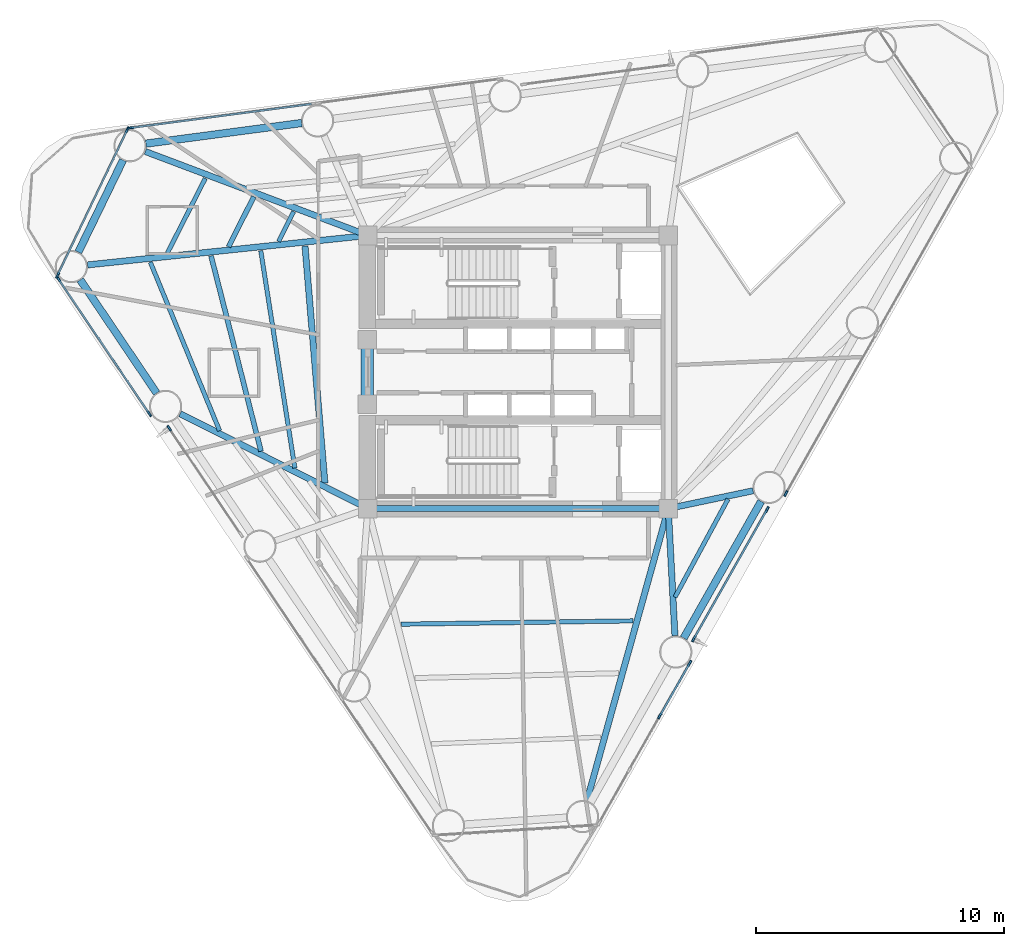
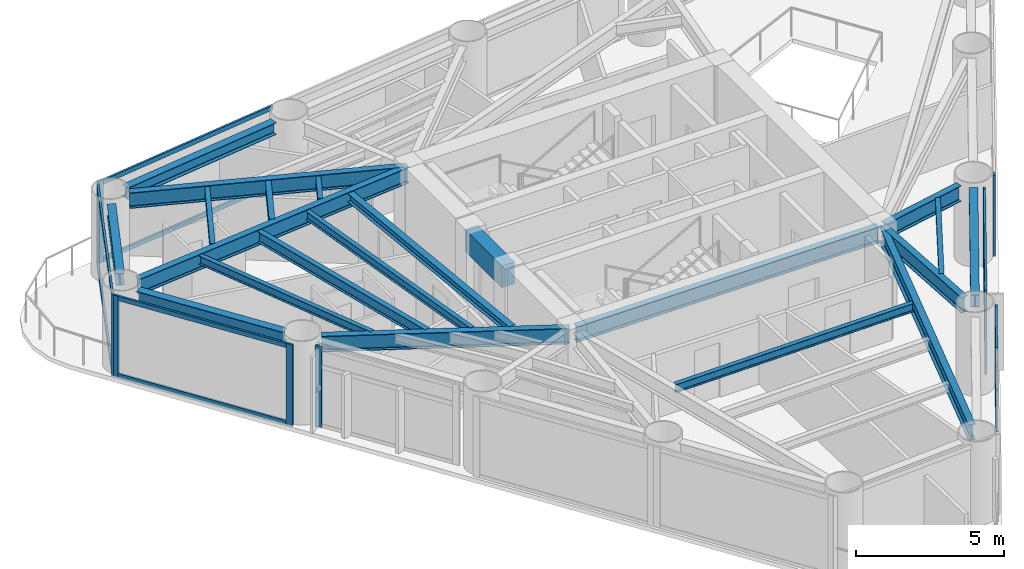
# One storey, part 2 of 9: 23 members, 21 beams, 7 elements without a shape of their own.
"""IFC4 building model written with IfcOpenShell, lengths in metres."""

from ifc_helpers import new_model, si_unit, direction, frame, origin, origin_2d, place, context, subcontext, project, spatial, rectangle, i_section, extrude, source, transform, mapped, material, layer, layer_set, material_profile, profile_set, type_object, element, aggregate, save


model = new_model("IFC4")

# Units and contexts
model_context = context("Model", 3, precision=1e-05, world=origin(), true_north=direction((0.0, 1.0)))
body_context = subcontext(model_context, "Body", "Model", "MODEL_VIEW")
ifc_project = project(units=[si_unit("LENGTHUNIT", "METRE"), si_unit("AREAUNIT", "SQUARE_METRE"), si_unit("VOLUMEUNIT", "CUBIC_METRE"), si_unit("PLANEANGLEUNIT", "RADIAN"), si_unit("MASSUNIT", "GRAM", prefix="KILO")], contexts=[model_context])

# Site, building, storey
site_placement = place(None, origin())
site = spatial("IfcSite", under=ifc_project, at=site_placement, CompositionType="ELEMENT")
building_placement = place(site_placement, origin())
building = spatial("IfcBuilding", under=site, at=building_placement, Name="Yunling Apex Tower", CompositionType="ELEMENT")
storey_placement = place(building_placement, frame((0.0, 0.0, 165.64990234375)))
storey = spatial("IfcBuildingStorey", under=building, at=storey_placement, Name="L40", CompositionType="ELEMENT", Elevation=165.64990234375)

# Beams
ifc_material_1 = material(Name="Concrete C50", Category="concrete")
ifc_material_profile_1 = material_profile(ifc_material_1, rectangle(XDim=0.5, YDim=0.89990234375, at=origin_2d()))
ifc_profile_set_1 = profile_set([ifc_material_profile_1], Name="Concrete C50")
beam_type_1 = type_object("IfcBeamType", Name="BC-CPL-2", PredefinedType="BEAM", material=ifc_profile_set_1)
shared_shape_1 = source(origin(), body_context, "Body", "SweptSolid", [
    extrude(rectangle(XDim=0.5, YDim=0.89990234375, at=origin_2d()), origin(), (0.0, 0.0, 1.0), 2.5),
])
beam_1_placement = place(storey_placement, frame((-6.074951171875, -1.25, 2.820068359375), z_axis=(0.0, 1.0, 0.0), x_axis=(-1.0, 0.0, 0.0)))
element("IfcBeam", 1, at=beam_1_placement, inside=storey, type_object=beam_type_1, Name="L40 Core West Portal Coupling Beam", PredefinedType="BEAM", context=body_context, shape_type="MappedRepresentation", body=[
    mapped(shared_shape_1, transform((0.0, 0.0, 0.0), scale=1.0)),
])
ifc_material_2 = material(Name="Steel Q355B", Category="steel")
ifc_material_profile_2 = material_profile(ifc_material_2, i_section(OverallWidth=0.25, OverallDepth=0.64990234375, WebThickness=0.011962890625, FlangeThickness=0.02001953125, FilletRadius=0.02392578125, at=origin_2d()))
ifc_profile_set_2 = profile_set([ifc_material_profile_2], Name="Steel Q355B")
beam_type_2 = type_object("IfcBeamType", Name="BG-PRI-4", PredefinedType="USERDEFINED", material=ifc_profile_set_2)
shared_shape_2 = source(origin(), body_context, "Body", "SweptSolid", [
    extrude(i_section(OverallWidth=0.25, OverallDepth=0.64990234375, WebThickness=0.011962890625, FlangeThickness=0.02001953125, FilletRadius=0.02392578125, at=origin_2d()), origin(), (0.0, 0.0, 1.0), 11.7998046875),
])
beam_2_placement = place(storey_placement, frame((-5.89990234375, -5.5, 2.945068359375), z_axis=(1.0, 0.0, 0.0), x_axis=(0.0, 1.0, 0.0)))
element("IfcBeam", 2, at=beam_2_placement, inside=storey, type_object=beam_type_2, Name="L40 Core Ring Tie Beam 1", ObjectType="GIRDER", PredefinedType="USERDEFINED", context=body_context, shape_type="MappedRepresentation", body=[
    mapped(shared_shape_2, transform((0.0, 0.0, 0.0), scale=1.0)),
])
ifc_material_profile_3 = material_profile(ifc_material_2, i_section(OverallWidth=0.300048828125, OverallDepth=0.489990234375, WebThickness=0.010986328125, FlangeThickness=0.01806640625, FilletRadius=0.02197265625, at=origin_2d()))
ifc_profile_set_3 = profile_set([ifc_material_profile_3], Name="Steel Q355B")
beam_type_3 = type_object("IfcBeamType", Name="BP-SPN-2", PredefinedType="SPANDREL", material=ifc_profile_set_3)
shared_shape_3 = source(origin(), body_context, "Body", "SweptSolid", [
    extrude(i_section(OverallWidth=0.300048828125, OverallDepth=0.489990234375, WebThickness=0.010986328125, FlangeThickness=0.01806640625, FilletRadius=0.02197265625, at=origin_2d()), origin(), (0.0, 0.0, 1.0), 6.33251953125),
])
for number, where, z_axis, x_axis, name in (
    (3, (6.66943359375, -10.717529296875, 3.025146484375), (0.493030081742, 0.870012263418, 0.0), (-0.870012263418, 0.493030081742, 0.0), "L40 Perimeter Spandrel Beam 2"),
    (4, (-8.715576171875, 10.02978515625, 3.025146484375), (-0.991351373324, -0.131234349957, 0.0), (0.131234349957, -0.991351373324, 0.0), "L40 Perimeter Spandrel Beam 9"),
):
    element("IfcBeam", number, at=place(storey_placement, frame(where, z_axis=z_axis, x_axis=x_axis)), inside=storey, type_object=beam_type_3, Name=name, PredefinedType="SPANDREL", context=body_context, shape_type="MappedRepresentation", body=[
        mapped(shared_shape_3, transform((0.0, 0.0, 0.0), scale=1.0)),
    ])
shared_shape_4 = source(origin(), body_context, "Body", "SweptSolid", [
    extrude(i_section(OverallWidth=0.300048828125, OverallDepth=0.489990234375, WebThickness=0.010986328125, FlangeThickness=0.01806640625, FilletRadius=0.02197265625, at=origin_2d()), origin(), (0.0, 0.0, 1.0), 4.1240234375),
])
beam_3_placement = place(storey_placement, frame((-15.9130859375, 8.534912109375, 3.025146484375), z_axis=(-0.436645295051, -0.899633751206, 0.0), x_axis=(0.899633751206, -0.436645295051, 0.0)))
element("IfcBeam", 5, at=beam_3_placement, inside=storey, type_object=beam_type_3, Name="L40 Perimeter Spandrel Beam 10", PredefinedType="SPANDREL", context=body_context, shape_type="MappedRepresentation", body=[
    mapped(shared_shape_4, transform((0.0, 0.0, 0.0), scale=1.0)),
])
shared_shape_5 = source(origin(), body_context, "Body", "SweptSolid", [
    extrude(i_section(OverallWidth=0.300048828125, OverallDepth=0.489990234375, WebThickness=0.010986328125, FlangeThickness=0.01806640625, FilletRadius=0.02197265625, at=origin_2d()), origin(), (0.0, 0.0, 1.0), 5.5029296875),
])
beam_4_placement = place(storey_placement, frame((-17.635009765625, 3.711181640625, 3.025146484375), z_axis=(0.559227477119, -0.829014251286, 0.0), x_axis=(0.829014251286, 0.559227477119, 0.0)))
element("IfcBeam", 6, at=beam_4_placement, inside=storey, type_object=beam_type_3, Name="L40 Perimeter Spandrel Beam 11", PredefinedType="SPANDREL", context=body_context, shape_type="MappedRepresentation", body=[
    mapped(shared_shape_5, transform((0.0, 0.0, 0.0), scale=1.0)),
])
shared_shape_6 = source(origin(), body_context, "Body", "SweptSolid", [
    extrude(i_section(OverallWidth=0.25, OverallDepth=0.64990234375, WebThickness=0.011962890625, FlangeThickness=0.02001953125, FilletRadius=0.02392578125, at=origin_2d()), origin(), (0.0, 0.0, 1.0), 12.141845703125),
])
beam_5_placement = place(storey_placement, frame((2.771240234375, -17.27392578125, 2.945068359375), z_axis=(0.268272262363, 0.9633431337, 0.0), x_axis=(-0.9633431337, 0.268272262363, 0.0)))
element("IfcBeam", 7, at=beam_5_placement, inside=storey, type_object=beam_type_2, Name="L40 Radial Primary Girder R01", ObjectType="GIRDER", PredefinedType="USERDEFINED", context=body_context, shape_type="MappedRepresentation", body=[
    mapped(shared_shape_6, transform((0.0, 0.0, 0.0), scale=1.0)),
])
shared_shape_7 = source(origin(), body_context, "Body", "SweptSolid", [
    extrude(i_section(OverallWidth=0.25, OverallDepth=0.64990234375, WebThickness=0.011962890625, FlangeThickness=0.02001953125, FilletRadius=0.02392578125, at=origin_2d()), origin(), (0.0, 0.0, 1.0), 5.0478515625),
])
beam_6_placement = place(storey_placement, frame((6.317626953125, -10.620849609375, 2.945068359375), z_axis=(-0.052185671931, 0.998637399482, 0.0), x_axis=(-0.998637399482, -0.052185671931, 0.0)))
element("IfcBeam", 8, at=beam_6_placement, inside=storey, type_object=beam_type_2, Name="L40 Radial Primary Girder R02", ObjectType="GIRDER", PredefinedType="USERDEFINED", context=body_context, shape_type="MappedRepresentation", body=[
    mapped(shared_shape_7, transform((0.0, 0.0, 0.0), scale=1.0)),
])
shared_shape_8 = source(origin(), body_context, "Body", "SweptSolid", [
    extrude(i_section(OverallWidth=0.25, OverallDepth=0.64990234375, WebThickness=0.011962890625, FlangeThickness=0.02001953125, FilletRadius=0.02392578125, at=origin_2d()), origin(), (0.0, 0.0, 1.0), 3.409423828125),
])
beam_7_placement = place(storey_placement, frame((9.465087890625, -4.783203125, 2.945068359375), z_axis=(-0.978668904593, -0.205443849219, 0.0), x_axis=(0.205443849219, -0.978668904593, 0.0)))
element("IfcBeam", 9, at=beam_7_placement, inside=storey, type_object=beam_type_2, Name="L40 Radial Primary Girder R03", ObjectType="GIRDER", PredefinedType="USERDEFINED", context=body_context, shape_type="MappedRepresentation", body=[
    mapped(shared_shape_8, transform((0.0, 0.0, 0.0), scale=1.0)),
])
shared_shape_9 = source(origin(), body_context, "Body", "SweptSolid", [
    extrude(i_section(OverallWidth=0.25, OverallDepth=0.64990234375, WebThickness=0.011962890625, FlangeThickness=0.02001953125, FilletRadius=0.02392578125, at=origin_2d()), origin(), (0.0, 0.0, 1.0), 9.502685546875),
])
beam_8_placement = place(storey_placement, frame((-15.01611328125, 8.882080078125, 2.945068359375), z_axis=(0.935649587533, -0.352930374648, 0.0), x_axis=(0.352930374648, 0.935649587533, 0.0)))
element("IfcBeam", 10, at=beam_8_placement, inside=storey, type_object=beam_type_2, Name="L40 Radial Primary Girder R10", ObjectType="GIRDER", PredefinedType="USERDEFINED", context=body_context, shape_type="MappedRepresentation", body=[
    mapped(shared_shape_9, transform((0.0, 0.0, 0.0), scale=1.0)),
])
shared_shape_10 = source(origin(), body_context, "Body", "SweptSolid", [
    extrude(i_section(OverallWidth=0.25, OverallDepth=0.64990234375, WebThickness=0.011962890625, FlangeThickness=0.02001953125, FilletRadius=0.02392578125, at=origin_2d()), origin(), (0.0, 0.0, 1.0), 11.272705078125),
])
beam_9_placement = place(storey_placement, frame((-17.340576171875, 4.31396484375, 2.945068359375), z_axis=(0.99452726712, 0.104477341825, 0.0), x_axis=(-0.104477341825, 0.99452726712, 0.0)))
element("IfcBeam", 11, at=beam_9_placement, inside=storey, type_object=beam_type_2, Name="L40 Radial Primary Girder R11", ObjectType="GIRDER", PredefinedType="USERDEFINED", context=body_context, shape_type="MappedRepresentation", body=[
    mapped(shared_shape_10, transform((0.0, 0.0, 0.0), scale=1.0)),
])
shared_shape_11 = source(origin(), body_context, "Body", "SweptSolid", [
    extrude(i_section(OverallWidth=0.25, OverallDepth=0.64990234375, WebThickness=0.011962890625, FlangeThickness=0.02001953125, FilletRadius=0.02392578125, at=origin_2d()), origin(), (0.0, 0.0, 1.0), 8.389892578125),
])
beam_10_placement = place(storey_placement, frame((-13.610107421875, -1.681396484375, 2.945068359375), z_axis=(0.892603997322, -0.450841550841, 0.0), x_axis=(0.450841550841, 0.892603997322, 0.0)))
element("IfcBeam", 12, at=beam_10_placement, inside=storey, type_object=beam_type_2, Name="L40 Radial Primary Girder R12", ObjectType="GIRDER", PredefinedType="USERDEFINED", context=body_context, shape_type="MappedRepresentation", body=[
    mapped(shared_shape_11, transform((0.0, 0.0, 0.0), scale=1.0)),
])
ifc_material_profile_4 = material_profile(ifc_material_2, i_section(OverallWidth=0.175048828125, OverallDepth=0.35009765625, WebThickness=0.007080078125, FlangeThickness=0.010986328125, FilletRadius=0.013916015625, at=origin_2d()))
ifc_profile_set_4 = profile_set([ifc_material_profile_4], Name="Steel Q355B")
beam_type_4 = type_object("IfcBeamType", Name="BJ-JST-1", PredefinedType="JOIST", material=ifc_profile_set_4)
shared_shape_12 = source(origin(), body_context, "Body", "SweptSolid", [
    extrude(i_section(OverallWidth=0.175048828125, OverallDepth=0.35009765625, WebThickness=0.007080078125, FlangeThickness=0.010986328125, FilletRadius=0.013916015625, at=origin_2d()), origin(), (0.0, 0.0, 1.0), 4.488525390625),
])
beam_11_placement = place(storey_placement, frame((6.31982421875, -9.068603515625, 3.09521484375), z_axis=(0.475594391265, 0.87966469464, 0.0), x_axis=(-0.87966469464, 0.475594391265, 0.0)))
element("IfcBeam", 13, at=beam_11_placement, inside=storey, type_object=beam_type_4, Name="L40 Composite Floor Joist BJ1-2", PredefinedType="JOIST", context=body_context, shape_type="MappedRepresentation", body=[
    mapped(shared_shape_12, transform((0.0, 0.0, 0.0), scale=1.0)),
])
ifc_material_profile_5 = material_profile(ifc_material_2, i_section(OverallWidth=0.199951171875, OverallDepth=0.449951171875, WebThickness=0.009033203125, FlangeThickness=0.013916015625, FilletRadius=0.01806640625, at=origin_2d()))
ifc_profile_set_5 = profile_set([ifc_material_profile_5], Name="Steel Q355B")
beam_type_5 = type_object("IfcBeamType", Name="BS-SEC-3", PredefinedType="BEAM", material=ifc_profile_set_5)
shared_shape_13 = source(origin(), body_context, "Body", "SweptSolid", [
    extrude(i_section(OverallWidth=0.199951171875, OverallDepth=0.449951171875, WebThickness=0.009033203125, FlangeThickness=0.013916015625, FilletRadius=0.01806640625, at=origin_2d()), origin(), (0.0, 0.0, 1.0), 2.260498046875),
])
beam_12_placement = place(storey_placement, frame((-10.642578125, 7.0625, 3.045166015625), z_axis=(-0.451356210078, -0.892343864003, 0.0), x_axis=(0.892343864003, -0.451356210078, 0.0)))
element("IfcBeam", 14, at=beam_12_placement, inside=storey, type_object=beam_type_5, Name="L40 Composite Floor Beam BS-10", PredefinedType="BEAM", context=body_context, shape_type="MappedRepresentation", body=[
    mapped(shared_shape_13, transform((0.0, 0.0, 0.0), scale=1.0)),
])
shared_shape_14 = source(origin(), body_context, "Body", "SweptSolid", [
    extrude(i_section(OverallWidth=0.175048828125, OverallDepth=0.35009765625, WebThickness=0.007080078125, FlangeThickness=0.010986328125, FilletRadius=0.013916015625, at=origin_2d()), origin(), (0.0, 0.0, 1.0), 3.380126953125),
])
beam_13_placement = place(storey_placement, frame((-12.59912109375, 7.80029296875, 3.09521484375), z_axis=(-0.452665854376, -0.891680225351, 0.0), x_axis=(0.891680225351, -0.452665854376, 0.0)))
element("IfcBeam", 15, at=beam_13_placement, inside=storey, type_object=beam_type_4, Name="L40 Composite Floor Joist BJ1-10", PredefinedType="JOIST", context=body_context, shape_type="MappedRepresentation", body=[
    mapped(shared_shape_14, transform((0.0, 0.0, 0.0), scale=1.0)),
])
shared_shape_15 = source(origin(), body_context, "Body", "SweptSolid", [
    extrude(i_section(OverallWidth=0.175048828125, OverallDepth=0.35009765625, WebThickness=0.007080078125, FlangeThickness=0.010986328125, FilletRadius=0.013916015625, at=origin_2d()), origin(), (0.0, 0.0, 1.0), 1.34375),
])
beam_14_placement = place(storey_placement, frame((-9.0419921875, 6.45849609375, 3.09521484375), z_axis=(-0.448956972961, -0.893553376374, 0.0), x_axis=(0.893553376374, -0.448956972961, 0.0)))
element("IfcBeam", 16, at=beam_14_placement, inside=storey, type_object=beam_type_4, Name="L40 Composite Floor Joist BJ3-10", PredefinedType="JOIST", context=body_context, shape_type="MappedRepresentation", body=[
    mapped(shared_shape_15, transform((0.0, 0.0, 0.0), scale=1.0)),
])
shared_shape_16 = source(origin(), body_context, "Body", "SweptSolid", [
    extrude(i_section(OverallWidth=0.199951171875, OverallDepth=0.449951171875, WebThickness=0.009033203125, FlangeThickness=0.013916015625, FilletRadius=0.01806640625, at=origin_2d()), origin(), (0.0, 0.0, 1.0), 8.121337890625),
])
beam_15_placement = place(storey_placement, frame((-12.3681640625, 4.677001953125, 3.045166015625), z_axis=(0.247914612688, -0.968781887122, 0.0), x_axis=(0.968781887122, 0.247914612688, 0.0)))
element("IfcBeam", 17, at=beam_15_placement, inside=storey, type_object=beam_type_5, Name="L40 Composite Floor Beam BS-11", PredefinedType="BEAM", context=body_context, shape_type="MappedRepresentation", body=[
    mapped(shared_shape_16, transform((0.0, 0.0, 0.0), scale=1.0)),
])
shared_shape_17 = source(origin(), body_context, "Body", "SweptSolid", [
    extrude(i_section(OverallWidth=0.175048828125, OverallDepth=0.35009765625, WebThickness=0.007080078125, FlangeThickness=0.010986328125, FilletRadius=0.013916015625, at=origin_2d()), origin(), (0.0, 0.0, 1.0), 7.34130859375),
])
beam_16_placement = place(storey_placement, frame((-14.8134765625, 4.425048828125, 3.09521484375), z_axis=(0.380043851262, -0.924968470337, 0.0), x_axis=(0.924968470337, 0.380043851262, 0.0)))
element("IfcBeam", 18, at=beam_16_placement, inside=storey, type_object=beam_type_4, Name="L40 Composite Floor Joist BJ1-11", PredefinedType="JOIST", context=body_context, shape_type="MappedRepresentation", body=[
    mapped(shared_shape_17, transform((0.0, 0.0, 0.0), scale=1.0)),
])
shared_shape_18 = source(origin(), body_context, "Body", "SweptSolid", [
    extrude(i_section(OverallWidth=0.175048828125, OverallDepth=0.35009765625, WebThickness=0.007080078125, FlangeThickness=0.010986328125, FilletRadius=0.013916015625, at=origin_2d()), origin(), (0.0, 0.0, 1.0), 8.861328125),
])
beam_17_placement = place(storey_placement, frame((-10.364990234375, 4.885986328125, 3.09521484375), z_axis=(0.154946679134, -0.987922834348, 0.0), x_axis=(0.987922834348, 0.154946679134, 0.0)))
element("IfcBeam", 19, at=beam_17_placement, inside=storey, type_object=beam_type_4, Name="L40 Composite Floor Joist BJ3-11", PredefinedType="JOIST", context=body_context, shape_type="MappedRepresentation", body=[
    mapped(shared_shape_18, transform((0.0, 0.0, 0.0), scale=1.0)),
])
ifc_material_profile_6 = material_profile(ifc_material_2, i_section(OverallWidth=0.25, OverallDepth=0.340087890625, WebThickness=0.009033203125, FlangeThickness=0.013916015625, FilletRadius=0.01806640625, at=origin_2d()))
ifc_profile_set_6 = profile_set([ifc_material_profile_6], Name="Steel Q355B")
beam_type_6 = type_object("IfcBeamType", Name="BJ-JST-2", PredefinedType="JOIST", material=ifc_profile_set_6)
shared_shape_19 = source(origin(), body_context, "Body", "SweptSolid", [
    extrude(i_section(OverallWidth=0.25, OverallDepth=0.340087890625, WebThickness=0.009033203125, FlangeThickness=0.013916015625, FilletRadius=0.01806640625, at=origin_2d()), origin(), (0.0, 0.0, 1.0), 9.578857421875),
])
beam_18_placement = place(storey_placement, frame((-8.582763671875, 5.072998046875, 3.10009765625), z_axis=(0.083572791263, -0.996501675142, 0.0), x_axis=(0.996501675142, 0.083572791263, 0.0)))
element("IfcBeam", 20, at=beam_18_placement, inside=storey, type_object=beam_type_6, Name="L40 Composite Floor Joist BJ2-11", PredefinedType="JOIST", context=body_context, shape_type="MappedRepresentation", body=[
    mapped(shared_shape_19, transform((0.0, 0.0, 0.0), scale=1.0)),
])
shared_shape_20 = source(origin(), body_context, "Body", "SweptSolid", [
    extrude(i_section(OverallWidth=0.175048828125, OverallDepth=0.35009765625, WebThickness=0.007080078125, FlangeThickness=0.010986328125, FilletRadius=0.013916015625, at=origin_2d()), origin(), (0.0, 0.0, 1.0), 9.337890625),
])
beam_19_placement = place(storey_placement, frame((-4.706298828125, -10.157958984375, 3.09521484375), z_axis=(0.99989735504, 0.014327574275, 0.0), x_axis=(-0.014327574275, 0.99989735504, 0.0)))
element("IfcBeam", 21, at=beam_19_placement, inside=storey, type_object=beam_type_4, Name="L40 Composite Floor Joist BJ3-15", PredefinedType="JOIST", context=body_context, shape_type="MappedRepresentation", body=[
    mapped(shared_shape_20, transform((0.0, 0.0, 0.0), scale=1.0)),
])

# Curtain wall, members
ifc_material_3 = material(Name="Bronze anodised aluminium", Category="aluminium")
ifc_layer = layer(ifc_material_3, 0.239990234375)
ifc_layer_set = layer_set([ifc_layer], Name="Bronze anodised aluminium")
curtain_wall_type = type_object("IfcCurtainWallType", Name="CW-SYS-3", PredefinedType="NOTDEFINED", material=ifc_layer_set)
curtain_wall_1_placement = place(storey_placement, origin())
curtain_wall_1 = element("IfcCurtainWall", 22, at=curtain_wall_1_placement, inside=storey, type_object=curtain_wall_type, Name="CW-L40-F1-B1", PredefinedType="NOTDEFINED")
ifc_material_profile_7 = material_profile(ifc_material_3, rectangle(XDim=0.080078125, YDim=0.239990234375, at=origin_2d()))
ifc_profile_set_7 = profile_set([ifc_material_profile_7], Name="Bronze anodised aluminium")
member_type_1 = type_object("IfcMemberType", Name="CW-MUL-3", PredefinedType="MULLION", material=ifc_profile_set_7)
shared_shape_21 = source(origin(), body_context, "Body", "SweptSolid", [
    extrude(rectangle(XDim=0.080078125, YDim=0.239990234375, at=origin_2d()), origin(), (0.0, 0.0, 1.0), 3.369873046875),
])
member_1_placement = place(storey_placement, frame((5.7041015625, -13.861083984375, -0.0498046875), z_axis=(0.0, 0.0, 1.0), x_axis=(-0.870006087438, 0.493040979859, 0.0)))
member_1 = element("IfcMember", 23, at=member_1_placement, type_object=member_type_1, Name="CW-SYS-3 mullion 3", PredefinedType="MULLION", context=body_context, shape_type="MappedRepresentation", body=[
    mapped(shared_shape_21, transform((0.0, 0.0, 0.0), scale=1.0)),
])
member_2_placement = place(storey_placement, frame((6.910400390625, -11.732421875, -0.0498046875), z_axis=(0.0, 0.0, 1.0), x_axis=(-0.870006087438, 0.493040979859, 0.0)))
member_2 = element("IfcMember", 24, at=member_2_placement, type_object=member_type_1, Name="CW-SYS-3 mullion 4", PredefinedType="MULLION", context=body_context, shape_type="MappedRepresentation", body=[
    mapped(shared_shape_21, transform((0.0, 0.0, 0.0), scale=1.0)),
])

curtain_wall_2_placement = place(storey_placement, origin())
curtain_wall_2 = element("IfcCurtainWall", 25, at=curtain_wall_2_placement, inside=storey, type_object=curtain_wall_type, Name="CW-L40-F1-B2", PredefinedType="NOTDEFINED")
member_3_placement = place(storey_placement, frame((7.0732421875, -10.755615234375, -0.0498046875), z_axis=(0.0, 0.0, 1.0), x_axis=(-0.87000266867, 0.493047012471, 0.0)))
member_3 = element("IfcMember", 26, at=member_3_placement, type_object=member_type_1, Name="CW-SYS-3 mullion 1", PredefinedType="MULLION", context=body_context, shape_type="MappedRepresentation", body=[
    mapped(shared_shape_21, transform((0.0, 0.0, 0.0), scale=1.0)),
])
member_4_placement = place(storey_placement, frame((10.03173828125, -5.53515625, -0.0498046875), z_axis=(0.0, 0.0, 1.0), x_axis=(-0.87000266867, 0.493047012471, 0.0)))
member_4 = element("IfcMember", 27, at=member_4_placement, type_object=member_type_1, Name="CW-SYS-3 mullion 2", PredefinedType="MULLION", context=body_context, shape_type="MappedRepresentation", body=[
    mapped(shared_shape_21, transform((0.0, 0.0, 0.0), scale=1.0)),
])

# Curtain wall, member
curtain_wall_3_placement = place(storey_placement, origin())
curtain_wall_3 = element("IfcCurtainWall", 28, at=curtain_wall_3_placement, inside=storey, type_object=curtain_wall_type, Name="CW-L40-F1-B3", PredefinedType="NOTDEFINED")
member_5_placement = place(storey_placement, frame((10.785888671875, -4.8935546875, -0.0498046875), z_axis=(0.0, 0.0, 1.0), x_axis=(-0.870009345679, 0.493035230416, 0.0)))
member_5 = element("IfcMember", 29, at=member_5_placement, type_object=member_type_1, Name="CW-SYS-3 mullion 1", PredefinedType="MULLION", context=body_context, shape_type="MappedRepresentation", body=[
    mapped(shared_shape_21, transform((0.0, 0.0, 0.0), scale=1.0)),
])
aggregate(curtain_wall_3, [member_5])

curtain_wall_4_placement = place(storey_placement, origin())
curtain_wall_4 = element("IfcCurtainWall", 30, at=curtain_wall_4_placement, inside=storey, type_object=curtain_wall_type, Name="CW-L40-F2-B4", PredefinedType="NOTDEFINED")
member_6_placement = place(storey_placement, frame((-15.60595703125, 9.833740234375, -0.0498046875), z_axis=(0.0, 0.0, 1.0), x_axis=(0.131222473138, -0.991352945496, 0.0)))
member_6 = element("IfcMember", 31, at=member_6_placement, type_object=member_type_1, Name="CW-SYS-3 mullion 2", PredefinedType="MULLION", context=body_context, shape_type="MappedRepresentation", body=[
    mapped(shared_shape_21, transform((0.0, 0.0, 0.0), scale=1.0)),
])

# Curtain wall, members
curtain_wall_5_placement = place(storey_placement, origin())
curtain_wall_5 = element("IfcCurtainWall", 32, at=curtain_wall_5_placement, inside=storey, type_object=curtain_wall_type, Name="CW-L40-CRN2", PredefinedType="NOTDEFINED")
member_7_placement = place(storey_placement, frame((-15.73974609375, 9.76220703125, -0.0498046875), z_axis=(0.0, 0.0, 1.0), x_axis=(0.901876554496, -0.431993843071, 0.0)))
member_7 = element("IfcMember", 33, at=member_7_placement, type_object=member_type_1, Name="CW-SYS-3 mullion 1", PredefinedType="MULLION", context=body_context, shape_type="MappedRepresentation", body=[
    mapped(shared_shape_21, transform((0.0, 0.0, 0.0), scale=1.0)),
])
member_8_placement = place(storey_placement, frame((-18.5498046875, 3.8955078125, -0.0498046875), z_axis=(0.0, 0.0, 1.0), x_axis=(0.901876554496, -0.431993843071, 0.0)))
member_8 = element("IfcMember", 34, at=member_8_placement, type_object=member_type_1, Name="CW-SYS-3 mullion 2", PredefinedType="MULLION", context=body_context, shape_type="MappedRepresentation", body=[
    mapped(shared_shape_21, transform((0.0, 0.0, 0.0), scale=1.0)),
])

curtain_wall_6_placement = place(storey_placement, origin())
curtain_wall_6 = element("IfcCurtainWall", 35, at=curtain_wall_6_placement, inside=storey, type_object=curtain_wall_type, Name="CW-L40-F3-B1", PredefinedType="NOTDEFINED")
member_9_placement = place(storey_placement, frame((-18.5166015625, 3.748779296875, -0.0498046875), z_axis=(0.0, 0.0, 1.0), x_axis=(0.829045302692, 0.559181442901, 0.0)))
member_9 = element("IfcMember", 36, at=member_9_placement, type_object=member_type_1, Name="CW-SYS-3 mullion 1", PredefinedType="MULLION", context=body_context, shape_type="MappedRepresentation", body=[
    mapped(shared_shape_21, transform((0.0, 0.0, 0.0), scale=1.0)),
])
member_10_placement = place(storey_placement, frame((-14.853271484375, -1.682373046875, -0.0498046875), z_axis=(0.0, 0.0, 1.0), x_axis=(0.829045302692, 0.559181442901, 0.0)))
member_10 = element("IfcMember", 37, at=member_10_placement, type_object=member_type_1, Name="CW-SYS-3 mullion 2", PredefinedType="MULLION", context=body_context, shape_type="MappedRepresentation", body=[
    mapped(shared_shape_21, transform((0.0, 0.0, 0.0), scale=1.0)),
])

# Curtain wall, member
curtain_wall_7_placement = place(storey_placement, origin())
curtain_wall_7 = element("IfcCurtainWall", 38, at=curtain_wall_7_placement, inside=storey, type_object=curtain_wall_type, Name="CW-L40-F3-B2", PredefinedType="NOTDEFINED")
member_11_placement = place(storey_placement, frame((-14.05126953125, -2.263427734375, -0.0498046875), z_axis=(0.0, 0.0, 1.0), x_axis=(0.829026137089, 0.559209856873, 0.0)))
member_11 = element("IfcMember", 39, at=member_11_placement, type_object=member_type_1, Name="CW-SYS-3 mullion 1", PredefinedType="MULLION", context=body_context, shape_type="MappedRepresentation", body=[
    mapped(shared_shape_21, transform((0.0, 0.0, 0.0), scale=1.0)),
])
aggregate(curtain_wall_7, [member_11])

# Member
ifc_material_profile_8 = material_profile(ifc_material_3, rectangle(XDim=0.080078125, YDim=0.18505859375, at=origin_2d()))
ifc_profile_set_8 = profile_set([ifc_material_profile_8], Name="Bronze anodised aluminium")
member_type_2 = type_object("IfcMemberType", Name="CW-TRN-3", PredefinedType="USERDEFINED", material=ifc_profile_set_8)
shared_shape_22 = source(origin(), body_context, "Body", "SweptSolid", [
    extrude(rectangle(XDim=0.080078125, YDim=0.18505859375, at=origin_2d()), origin(), (0.0, 0.0, 1.0), 2.374755859375),
])
member_12_placement = place(storey_placement, frame((5.721923828125, -13.829833984375, 0.0400390625), z_axis=(0.493035916127, 0.870008957085, 0.0), x_axis=(-0.870008957085, 0.493035916127, 0.0)))
member_12 = element("IfcMember", 40, at=member_12_placement, type_object=member_type_2, Name="CW-SYS-3 transom 3.1", ObjectType="TRANSOM", PredefinedType="USERDEFINED", context=body_context, shape_type="MappedRepresentation", body=[
    mapped(shared_shape_22, transform((0.0, 0.0, 0.0), scale=1.0)),
])

member_13_placement = place(storey_placement, frame((5.721923828125, -13.829833984375, 2.4853515625), z_axis=(0.493035916127, 0.870008957085, 0.0), x_axis=(-0.870008957085, 0.493035916127, 0.0)))
member_13 = element("IfcMember", 41, at=member_13_placement, type_object=member_type_2, Name="CW-SYS-3 transom 3.2", ObjectType="TRANSOM", PredefinedType="USERDEFINED", context=body_context, shape_type="MappedRepresentation", body=[
    mapped(shared_shape_22, transform((0.0, 0.0, 0.0), scale=1.0)),
])

member_14_placement = place(storey_placement, frame((5.721923828125, -13.829833984375, 3.22998046875), z_axis=(0.493035916127, 0.870008957085, 0.0), x_axis=(-0.870008957085, 0.493035916127, 0.0)))
member_14 = element("IfcMember", 42, at=member_14_placement, type_object=member_type_2, Name="CW-SYS-3 transom 3.3", ObjectType="TRANSOM", PredefinedType="USERDEFINED", context=body_context, shape_type="MappedRepresentation", body=[
    mapped(shared_shape_22, transform((0.0, 0.0, 0.0), scale=1.0)),
])

aggregate(curtain_wall_1, [member_1, member_2, member_12, member_13, member_14])

shared_shape_23 = source(origin(), body_context, "Body", "SweptSolid", [
    extrude(rectangle(XDim=0.080078125, YDim=0.18505859375, at=origin_2d()), origin(), (0.0, 0.0, 1.0), 5.9287109375),
])
member_15_placement = place(storey_placement, frame((7.0908203125, -10.724365234375, 0.0400390625), z_axis=(0.49304478118, 0.870003933182, 0.0), x_axis=(-0.870003933182, 0.49304478118, 0.0)))
member_15 = element("IfcMember", 43, at=member_15_placement, type_object=member_type_2, Name="CW-SYS-3 transom 1.1", ObjectType="TRANSOM", PredefinedType="USERDEFINED", context=body_context, shape_type="MappedRepresentation", body=[
    mapped(shared_shape_23, transform((0.0, 0.0, 0.0), scale=1.0)),
])

member_16_placement = place(storey_placement, frame((7.0908203125, -10.724365234375, 2.4853515625), z_axis=(0.49304478118, 0.870003933182, 0.0), x_axis=(-0.870003933182, 0.49304478118, 0.0)))
member_16 = element("IfcMember", 44, at=member_16_placement, type_object=member_type_2, Name="CW-SYS-3 transom 1.2", ObjectType="TRANSOM", PredefinedType="USERDEFINED", context=body_context, shape_type="MappedRepresentation", body=[
    mapped(shared_shape_23, transform((0.0, 0.0, 0.0), scale=1.0)),
])

member_17_placement = place(storey_placement, frame((7.0908203125, -10.724365234375, 3.22998046875), z_axis=(0.49304478118, 0.870003933182, 0.0), x_axis=(-0.870003933182, 0.49304478118, 0.0)))
member_17 = element("IfcMember", 45, at=member_17_placement, type_object=member_type_2, Name="CW-SYS-3 transom 1.3", ObjectType="TRANSOM", PredefinedType="USERDEFINED", context=body_context, shape_type="MappedRepresentation", body=[
    mapped(shared_shape_23, transform((0.0, 0.0, 0.0), scale=1.0)),
])

aggregate(curtain_wall_2, [member_3, member_4, member_15, member_16, member_17])

shared_shape_24 = source(origin(), body_context, "Body", "SweptSolid", [
    extrude(rectangle(XDim=0.080078125, YDim=0.18505859375, at=origin_2d()), origin(), (0.0, 0.0, 1.0), 7.30859375),
])
member_18_placement = place(storey_placement, frame((-8.324951171875, 10.797607421875, 0.0400390625), z_axis=(-0.991354063091, -0.131214029714, 0.0), x_axis=(0.131214029714, -0.991354063091, 0.0)))
member_18 = element("IfcMember", 46, at=member_18_placement, type_object=member_type_2, Name="CW-SYS-3 transom 1.1", ObjectType="TRANSOM", PredefinedType="USERDEFINED", context=body_context, shape_type="MappedRepresentation", body=[
    mapped(shared_shape_24, transform((0.0, 0.0, 0.0), scale=1.0)),
])

member_19_placement = place(storey_placement, frame((-8.324951171875, 10.797607421875, 3.22998046875), z_axis=(-0.991354063091, -0.131214029714, 0.0), x_axis=(0.131214029714, -0.991354063091, 0.0)))
member_19 = element("IfcMember", 47, at=member_19_placement, type_object=member_type_2, Name="CW-SYS-3 transom 1.2", ObjectType="TRANSOM", PredefinedType="USERDEFINED", context=body_context, shape_type="MappedRepresentation", body=[
    mapped(shared_shape_24, transform((0.0, 0.0, 0.0), scale=1.0)),
])

aggregate(curtain_wall_4, [member_6, member_18, member_19])

shared_shape_25 = source(origin(), body_context, "Body", "SweptSolid", [
    extrude(rectangle(XDim=0.080078125, YDim=0.18505859375, at=origin_2d()), origin(), (0.0, 0.0, 1.0), 6.43310546875),
])
member_20_placement = place(storey_placement, frame((-15.755126953125, 9.729736328125, 0.0400390625), z_axis=(-0.431999289768, -0.901873945538, 0.0), x_axis=(0.901873945538, -0.431999289768, 0.0)))
member_20 = element("IfcMember", 48, at=member_20_placement, type_object=member_type_2, Name="CW-SYS-3 transom 1.1", ObjectType="TRANSOM", PredefinedType="USERDEFINED", context=body_context, shape_type="MappedRepresentation", body=[
    mapped(shared_shape_25, transform((0.0, 0.0, 0.0), scale=1.0)),
])

member_21_placement = place(storey_placement, frame((-15.755126953125, 9.729736328125, 3.22998046875), z_axis=(-0.431999289768, -0.901873945538, 0.0), x_axis=(0.901873945538, -0.431999289768, 0.0)))
member_21 = element("IfcMember", 49, at=member_21_placement, type_object=member_type_2, Name="CW-SYS-3 transom 1.2", ObjectType="TRANSOM", PredefinedType="USERDEFINED", context=body_context, shape_type="MappedRepresentation", body=[
    mapped(shared_shape_25, transform((0.0, 0.0, 0.0), scale=1.0)),
])

aggregate(curtain_wall_5, [member_7, member_8, member_20, member_21])

shared_shape_26 = source(origin(), body_context, "Body", "SweptSolid", [
    extrude(rectangle(XDim=0.080078125, YDim=0.18505859375, at=origin_2d()), origin(), (0.0, 0.0, 1.0), 6.479248046875),
])
member_22_placement = place(storey_placement, frame((-18.496337890625, 3.718994140625, 0.0400390625), z_axis=(0.559179012054, -0.829046942265, 0.0), x_axis=(0.829046942265, 0.559179012054, 0.0)))
member_22 = element("IfcMember", 50, at=member_22_placement, type_object=member_type_2, Name="CW-SYS-3 transom 1.1", ObjectType="TRANSOM", PredefinedType="USERDEFINED", context=body_context, shape_type="MappedRepresentation", body=[
    mapped(shared_shape_26, transform((0.0, 0.0, 0.0), scale=1.0)),
])

member_23_placement = place(storey_placement, frame((-18.496337890625, 3.718994140625, 3.22998046875), z_axis=(0.559179012054, -0.829046942265, 0.0), x_axis=(0.829046942265, 0.559179012054, 0.0)))
member_23 = element("IfcMember", 51, at=member_23_placement, type_object=member_type_2, Name="CW-SYS-3 transom 1.2", ObjectType="TRANSOM", PredefinedType="USERDEFINED", context=body_context, shape_type="MappedRepresentation", body=[
    mapped(shared_shape_26, transform((0.0, 0.0, 0.0), scale=1.0)),
])

aggregate(curtain_wall_6, [member_9, member_10, member_22, member_23])

save(model, "model.ifc")
